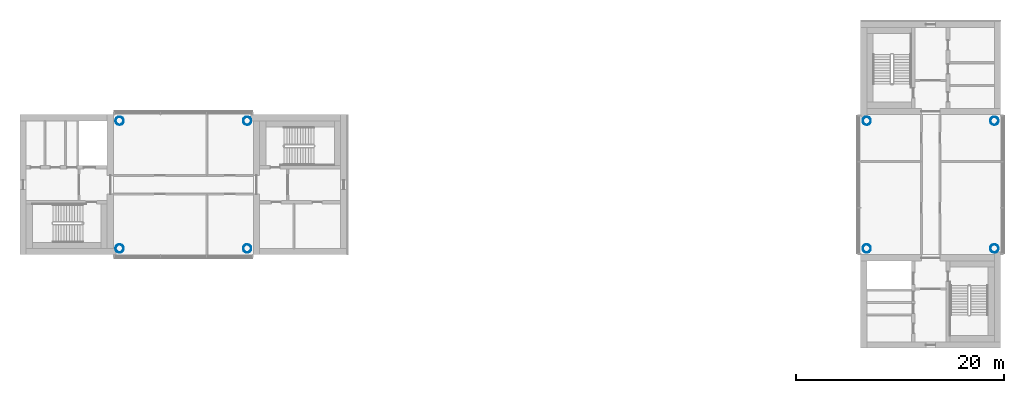
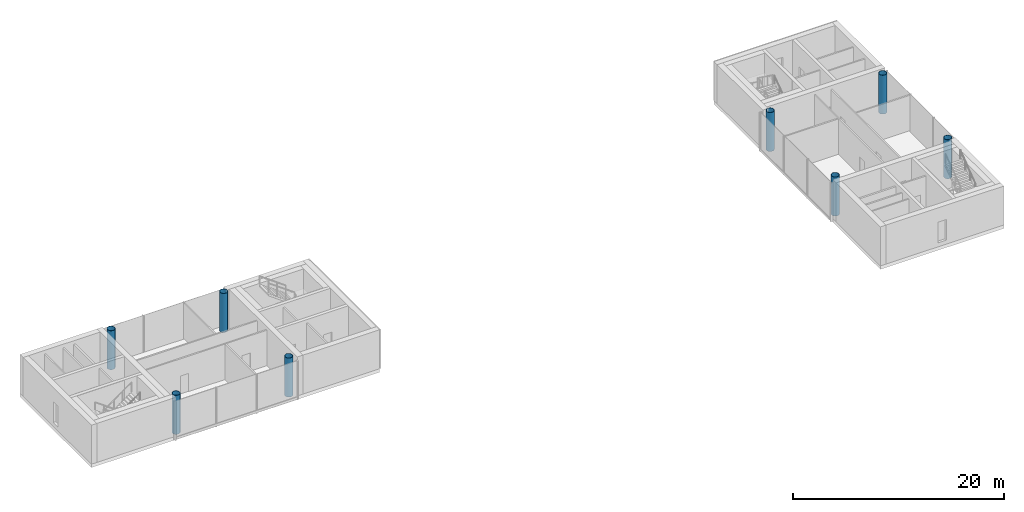
# One storey, part 1 of 12: 8 columns.
"""IFC4 building model written with IfcOpenShell, lengths in metres."""

from ifc_helpers import new_model, si_unit, direction, frame, origin, origin_2d, place, context, subcontext, project, spatial, hollow_circle, extrude, material, material_profile, profile_set, type_object, element, save


model = new_model("IFC4")

# Units and contexts
model_context = context("Model", 3, precision=1e-05, world=origin(), true_north=direction((0.0, 1.0)))
body_context = subcontext(model_context, "Body", "Model", "MODEL_VIEW")
ifc_project = project(units=[si_unit("LENGTHUNIT", "METRE"), si_unit("AREAUNIT", "SQUARE_METRE"), si_unit("VOLUMEUNIT", "CUBIC_METRE"), si_unit("PLANEANGLEUNIT", "RADIAN"), si_unit("MASSUNIT", "GRAM", prefix="KILO")], contexts=[model_context])

# Site, building, storey
site_placement = place(None, origin())
site = spatial("IfcSite", under=ifc_project, at=site_placement, CompositionType="ELEMENT")
building_placement = place(site_placement, origin())
building = spatial("IfcBuilding", under=site, at=building_placement, Name="Ipe Terrace Towers", CompositionType="ELEMENT")
storey_placement = place(building_placement, frame((0.0, 0.0, 260.39990234375)))
storey = spatial("IfcBuildingStorey", under=building, at=storey_placement, Name="L71", CompositionType="ELEMENT", Elevation=260.39990234375)

# Columns
ifc_material = material(Name="Steel S355 tube with Concrete C60/75 fill", Category="concrete")
ifc_material_profile = material_profile(ifc_material, hollow_circle(Radius=0.39990234375, WallThickness=0.028076171875, at=origin_2d()), Name="CHS-800x28")
ifc_profile_set = profile_set([ifc_material_profile], Name="Steel S355 tube with Concrete C60/75 fill")
column_type = type_object("IfcColumnType", Name="CH09 COLUMN CHS-800x28", PredefinedType="COLUMN", material=ifc_profile_set)
for number, where, z_axis, x_axis, name in (
    (1, (-42.14990234375, -6.14990234375, 0.0), (0.0, 0.0, 1.0), (1.0, 0.0, 0.0), "Column T1-C-E01"),
    (2, (-29.85009765625, -6.14990234375, 0.0), (0.0, 0.0, 1.0), (1.0, 0.0, 0.0), "Column T1-C-E02"),
    (3, (-29.85009765625, 6.14990234375, 0.0), (0.0, 0.0, 1.0), (1.0, 0.0, 0.0), "Column T1-C-E03"),
    (4, (-42.14990234375, 6.14990234375, 0.0), (0.0, 0.0, 1.0), (1.0, 0.0, 0.0), "Column T1-C-E04"),
    (5, (42.14990234375, -6.14990234375, 0.0), (0.0, 0.0, 1.0), (1.0, 0.0, 0.0), "Column T2-C-E01"),
    (6, (42.14990234375, 6.14990234375, 0.0), (0.0, 0.0, 1.0), (1.0, 0.0, 0.0), "Column T2-C-E02"),
    (7, (29.85009765625, 6.14990234375, 0.0), (0.0, 0.0, 1.0), (1.0, 0.0, 0.0), "Column T2-C-E03"),
    (8, (29.85009765625, -6.14990234375, 0.0), (0.0, 0.0, 1.0), (1.0, 0.0, 0.0), "Column T2-C-E04"),
):
    element("IfcColumn", number, at=place(storey_placement, frame(where, z_axis=z_axis, x_axis=x_axis)), inside=storey, type_object=column_type, Name=name, PredefinedType="COLUMN", context=body_context, shape_type="SweptSolid", body=[
        extrude(hollow_circle(Radius=0.39990234375, WallThickness=0.028076171875, at=origin_2d()), origin(), (0.0, 0.0, 1.0), 4.5),
    ])

save(model, "model.ifc")
